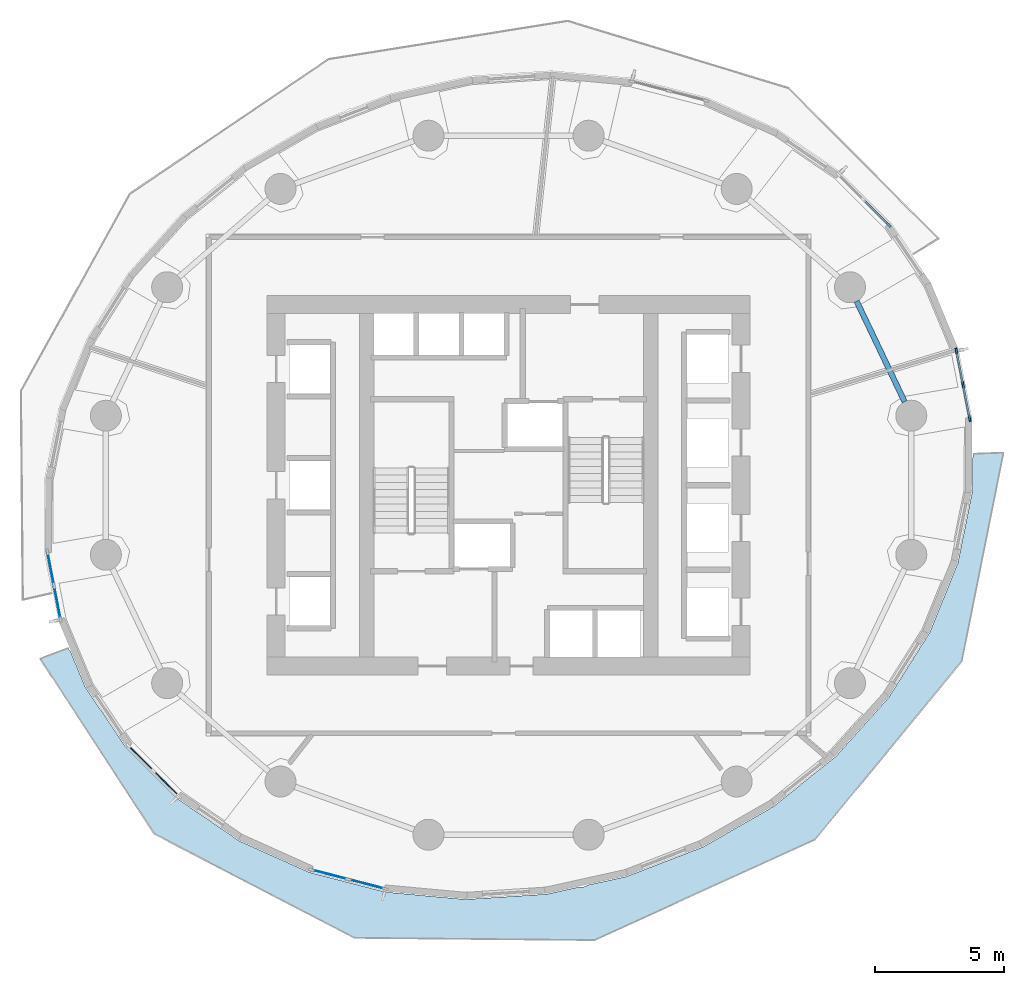
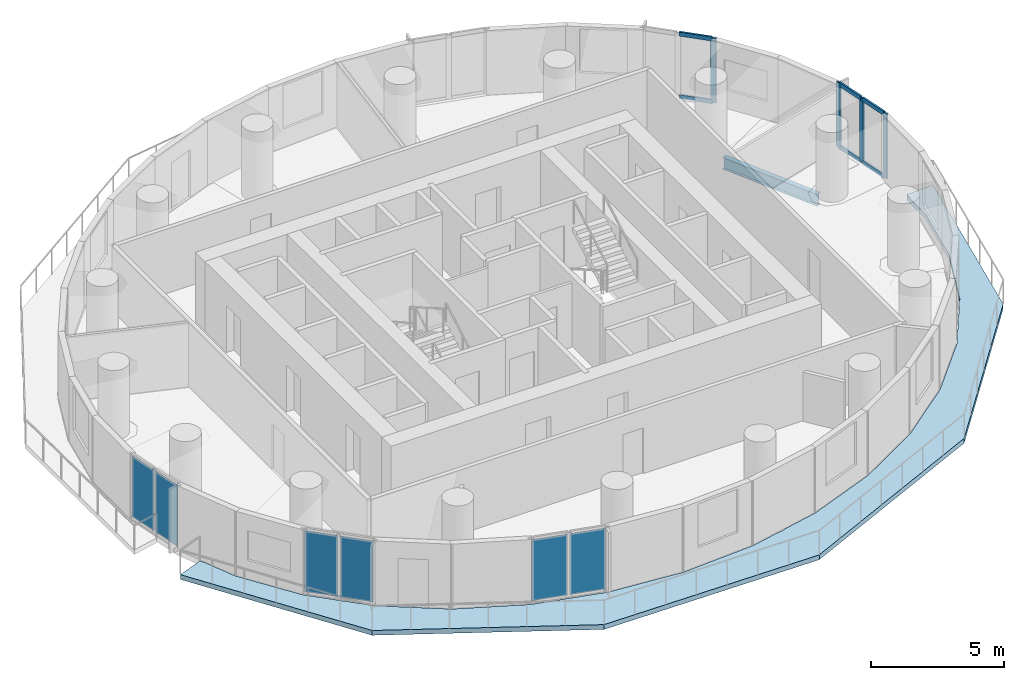
# One storey, part 2 of 10: 10 members, 6 plates, 1 beam, 1 slab, 5 elements without a shape of their own.
"""IFC4 building model written with IfcOpenShell, lengths in metres."""

from ifc_helpers import new_model, si_unit, direction, frame, origin, origin_2d, place, context, subcontext, project, spatial, polyline, rectangle, i_section, outline, extrude, material, layer, layer_set, material_profile, profile_set, type_object, element, aggregate, save


model = new_model("IFC4")

# Units and contexts
model_context = context("Model", 3, precision=1e-05, world=origin(), true_north=direction((0.0, 1.0)))
body_context = subcontext(model_context, "Body", "Model", "MODEL_VIEW")
ifc_project = project(units=[si_unit("LENGTHUNIT", "METRE"), si_unit("AREAUNIT", "SQUARE_METRE"), si_unit("VOLUMEUNIT", "CUBIC_METRE"), si_unit("PLANEANGLEUNIT", "RADIAN"), si_unit("MASSUNIT", "GRAM", prefix="KILO")], contexts=[model_context])

# Site, building, storey
site_placement = place(None, origin())
site = spatial("IfcSite", under=ifc_project, at=site_placement, CompositionType="ELEMENT")
building_placement = place(site_placement, origin())
building = spatial("IfcBuilding", under=site, at=building_placement, Name="Veldorim Arch Residences", CompositionType="ELEMENT")
storey_placement = place(building_placement, frame((0.0, 0.0, 70.8798828125)))
storey = spatial("IfcBuildingStorey", under=building, at=storey_placement, Name="L20", CompositionType="ELEMENT", Elevation=70.8798828125)

# Curtain wall, member
ifc_material_1 = material(Name="Aluminium", Category="aluminium")
curtain_wall_type = type_object("IfcCurtainWallType", Name="Sky Lounge & Conservatory Tall Curtain Wall", PredefinedType="NOTDEFINED", material=ifc_material_1)
curtain_wall_1_placement = place(storey_placement, origin())
curtain_wall_1 = element("IfcCurtainWall", 1, at=curtain_wall_1_placement, inside=storey, type_object=curtain_wall_type, Name="L20 unitised curtain wall bay 03", PredefinedType="NOTDEFINED")
ifc_material_2 = material(Name="Aluminium", Category="aluminium")
ifc_material_profile_1 = material_profile(ifc_material_2, rectangle(XDim=0.080078125, YDim=0.219970703125, at=origin_2d()), Name="ALU_MUL_80x220")
ifc_profile_set_1 = profile_set([ifc_material_profile_1], Name="Aluminium")
member_type_1 = type_object("IfcMemberType", Name="Sky Lounge & Conservatory Tall Curtain Wall Mullion 80x220", PredefinedType="MULLION", material=ifc_profile_set_1)
member_1_placement = place(storey_placement, frame((46.71875, 34.0810546875, 0.0), z_axis=(0.0, 0.0, 1.0), x_axis=(0.706577179529, 0.707635986485, 0.0)))
member_1 = element("IfcMember", 2, at=member_1_placement, type_object=member_type_1, Name="CW-SKY mullion 3", PredefinedType="MULLION", context=body_context, shape_type="SweptSolid", body=[
    extrude(rectangle(XDim=0.080078125, YDim=0.219970703125, at=origin_2d()), origin(), (0.0, 0.0, 1.0), 2.960205078125),
])

# Curtain wall, members
curtain_wall_2_placement = place(storey_placement, origin())
curtain_wall_2 = element("IfcCurtainWall", 3, at=curtain_wall_2_placement, inside=storey, type_object=curtain_wall_type, Name="L20 unitised curtain wall bay 36", PredefinedType="NOTDEFINED")
member_2_placement = place(storey_placement, frame((49.342529296875, 29.203857421875, 0.0), z_axis=(0.0, 0.0, 1.0), x_axis=(0.981476790572, 0.191581078313, 0.0)))
member_2 = element("IfcMember", 4, at=member_2_placement, type_object=member_type_1, Name="CW-SKY mullion 1", PredefinedType="MULLION", context=body_context, shape_type="SweptSolid", body=[
    extrude(rectangle(XDim=0.080078125, YDim=0.219970703125, at=origin_2d()), origin(), (0.0, 0.0, 1.0), 2.960205078125),
])
member_3_placement = place(storey_placement, frame((49.59912109375, 27.889892578125, 0.0), z_axis=(0.0, 0.0, 1.0), x_axis=(0.981476790572, 0.191581078313, 0.0)))
member_3 = element("IfcMember", 5, at=member_3_placement, type_object=member_type_1, Name="CW-SKY mullion 2", PredefinedType="MULLION", context=body_context, shape_type="SweptSolid", body=[
    extrude(rectangle(XDim=0.080078125, YDim=0.219970703125, at=origin_2d()), origin(), (0.0, 0.0, 1.0), 2.960205078125),
])
member_4_placement = place(storey_placement, frame((49.85546875, 26.575927734375, 0.0), z_axis=(0.0, 0.0, 1.0), x_axis=(0.981476790572, 0.191581078313, 0.0)))
member_4 = element("IfcMember", 6, at=member_4_placement, type_object=member_type_1, Name="CW-SKY mullion 3", PredefinedType="MULLION", context=body_context, shape_type="SweptSolid", body=[
    extrude(rectangle(XDim=0.080078125, YDim=0.219970703125, at=origin_2d()), origin(), (0.0, 0.0, 1.0), 2.960205078125),
])

# Member
ifc_material_3 = material(Name="Aluminium", Category="aluminium")
ifc_material_profile_2 = material_profile(ifc_material_3, rectangle(XDim=0.080078125, YDim=0.18505859375, at=origin_2d()), Name="ALU_TRN_80x185")
ifc_profile_set_2 = profile_set([ifc_material_profile_2], Name="Aluminium")
member_type_2 = type_object("IfcMemberType", Name="Sky Lounge & Conservatory Tall Curtain Wall Transom 80x185", PredefinedType="USERDEFINED", material=ifc_profile_set_2)
member_5_placement = place(storey_placement, frame((45.772705078125, 35.025390625, 0.0400390625), z_axis=(0.707671337229, -0.706541774041, 0.0), x_axis=(0.706541774041, 0.707671337229, 0.0)))
member_5 = element("IfcMember", 7, at=member_5_placement, type_object=member_type_2, Name="CW-SKY transom 2.1", ObjectType="TRANSOM", PredefinedType="USERDEFINED", context=body_context, shape_type="SweptSolid", body=[
    extrude(rectangle(XDim=0.080078125, YDim=0.18505859375, at=origin_2d()), origin(), (0.0, 0.0, 1.0), 1.296875),
])

member_6_placement = place(storey_placement, frame((45.772705078125, 35.025390625, 2.920166015625), z_axis=(0.707671337229, -0.706541774041, 0.0), x_axis=(0.706541774041, 0.707671337229, 0.0)))
member_6 = element("IfcMember", 8, at=member_6_placement, type_object=member_type_2, Name="CW-SKY transom 2.2", ObjectType="TRANSOM", PredefinedType="USERDEFINED", context=body_context, shape_type="SweptSolid", body=[
    extrude(rectangle(XDim=0.080078125, YDim=0.18505859375, at=origin_2d()), origin(), (0.0, 0.0, 1.0), 1.296875),
])

aggregate(curtain_wall_1, [member_1, member_5, member_6])

member_7_placement = place(storey_placement, frame((49.350341796875, 29.164794921875, 0.0400390625), z_axis=(0.191414668679, -0.981509258547, 0.0), x_axis=(0.981509258547, 0.191414668679, 0.0)))
member_7 = element("IfcMember", 9, at=member_7_placement, type_object=member_type_2, Name="CW-SKY transom 1.1", ObjectType="TRANSOM", PredefinedType="USERDEFINED", context=body_context, shape_type="SweptSolid", body=[
    extrude(rectangle(XDim=0.080078125, YDim=0.18505859375, at=origin_2d()), origin(), (0.0, 0.0, 1.0), 1.2587890625),
])

member_8_placement = place(storey_placement, frame((49.350341796875, 29.164794921875, 2.920166015625), z_axis=(0.191414668679, -0.981509258547, 0.0), x_axis=(0.981509258547, 0.191414668679, 0.0)))
member_8 = element("IfcMember", 10, at=member_8_placement, type_object=member_type_2, Name="CW-SKY transom 1.2", ObjectType="TRANSOM", PredefinedType="USERDEFINED", context=body_context, shape_type="SweptSolid", body=[
    extrude(rectangle(XDim=0.080078125, YDim=0.18505859375, at=origin_2d()), origin(), (0.0, 0.0, 1.0), 1.2587890625),
])

member_9_placement = place(storey_placement, frame((49.606689453125, 27.8505859375, 0.0400390625), z_axis=(0.191637963791, -0.981465685001, 0.0), x_axis=(0.981465685001, 0.191637963791, 0.0)))
member_9 = element("IfcMember", 11, at=member_9_placement, type_object=member_type_2, Name="CW-SKY transom 2.1", ObjectType="TRANSOM", PredefinedType="USERDEFINED", context=body_context, shape_type="SweptSolid", body=[
    extrude(rectangle(XDim=0.080078125, YDim=0.18505859375, at=origin_2d()), origin(), (0.0, 0.0, 1.0), 1.2587890625),
])

member_10_placement = place(storey_placement, frame((49.606689453125, 27.8505859375, 2.920166015625), z_axis=(0.191637963791, -0.981465685001, 0.0), x_axis=(0.981465685001, 0.191637963791, 0.0)))
member_10 = element("IfcMember", 12, at=member_10_placement, type_object=member_type_2, Name="CW-SKY transom 2.2", ObjectType="TRANSOM", PredefinedType="USERDEFINED", context=body_context, shape_type="SweptSolid", body=[
    extrude(rectangle(XDim=0.080078125, YDim=0.18505859375, at=origin_2d()), origin(), (0.0, 0.0, 1.0), 1.2587890625),
])

aggregate(curtain_wall_2, [member_2, member_3, member_4, member_7, member_8, member_9, member_10])

# Beam
ifc_material_4 = material(Name="Steel S355", Category="steel")
ifc_material_profile_3 = material_profile(ifc_material_4, i_section(OverallWidth=0.2119140625, OverallDepth=0.54443359375, WebThickness=0.0126953125, FlangeThickness=0.021240234375, at=origin_2d()), Name="UB533x210x122")
ifc_profile_set_3 = profile_set([ifc_material_profile_3], Name="Steel S355")
beam_type = type_object("IfcBeamType", Name="Structural Steel Beam UB533x210x122", PredefinedType="BEAM", material=ifc_profile_set_3)
beam_placement = place(storey_placement, frame((47.336181640625, 27.233642578125, -0.511962890625), z_axis=(-0.430720154476, 0.902485539235, 0.0), x_axis=(-0.902485539235, -0.430720154476, 0.0)))
element("IfcBeam", 13, at=beam_placement, inside=storey, type_object=beam_type, Name="L20 perimeter ring tie beam 01", PredefinedType="BEAM", context=body_context, shape_type="SweptSolid", body=[
    extrude(i_section(OverallWidth=0.2119140625, OverallDepth=0.54443359375, WebThickness=0.0126953125, FlangeThickness=0.021240234375, at=origin_2d()), origin(), (0.0, 0.0, 1.0), 4.312255859375),
])

# Slab
ifc_material_5 = material(Name="Concrete C40/50", Category="concrete")
ifc_layer_1 = layer(ifc_material_5, 0.219970703125, Name="Planted Crescent Cantilever Balcony Slab 220")
ifc_layer_set_1 = layer_set([ifc_layer_1], Name="Concrete C40/50")
slab_type = type_object("IfcSlabType", Name="Planted Crescent Cantilever Balcony Slab 220", PredefinedType="FLOOR", material=ifc_layer_set_1)
slab_placement = place(storey_placement, frame((0.0, 0.0, -0.219970703125)))
element("IfcSlab", 14, at=slab_placement, inside=storey, type_object=slab_type, Name="L20 planted crescent balcony slab B", PredefinedType="FLOOR", context=body_context, shape_type="SweptSolid", body=[
    extrude(outline(polyline([(15.04150390625, 17.555419921875), (15.6123046875, 16.18115234375), (17.169921875, 13.86767578125), (19.178466796875, 11.8623046875), (21.576171875, 10.225830078125), (24.29052734375, 9.008056640625), (27.239013671875, 8.245849609375), (30.331787109375, 7.96240234375), (33.475341796875, 8.166015625), (34.743408203125, 8.446044921875), (34.9091796875, 8.447021484375), (35.071533203125, 8.5185546875), (36.573974609375, 8.850341796875), (39.53369140625, 9.9951171875), (42.2646484375, 11.56494140625), (44.683837890625, 13.5126953125), (46.7177734375, 15.779296875), (48.3046875, 18.295654296875), (49.396240234375, 20.985595703125), (49.95947265625, 23.767333984375), (49.96728515625, 25.0537109375), (50.01171875, 25.219970703125), (51.160888671875, 25.260009765625), (49.5458984375, 17.1806640625), (43.863525390625, 10.281494140625), (35.324462890625, 6.388427734375), (26.031494140625, 6.476318359375), (18.281982421875, 10.503173828125), (13.864990234375, 17.28271484375), (14.93994140625, 17.691650390625), (15.04150390625, 17.555419921875)])), origin(), (0.0, 0.0, 1.0), 0.219970703125),
])

# Curtain wall, plates
curtain_wall_3_placement = place(storey_placement, origin())
curtain_wall_3 = element("IfcCurtainWall", 15, at=curtain_wall_3_placement, inside=storey, type_object=curtain_wall_type, Name="L20 unitised curtain wall bay 18", PredefinedType="NOTDEFINED")
ifc_material_6 = material(Name="Laminated Low-E Glass", Category="glass")
ifc_layer_2 = layer(ifc_material_6, 0.031982421875, Name="Sky Lounge & Conservatory Tall Curtain Wall Glazing Panel 32")
ifc_layer_set_2 = layer_set([ifc_layer_2], Name="Laminated Low-E Glass")
plate_type = type_object("IfcPlateType", Name="Sky Lounge & Conservatory Tall Curtain Wall Glazing Panel 32", PredefinedType="CURTAIN_PANEL", material=ifc_layer_set_2)
plate_1_placement = place(storey_placement, frame((14.529296875, 19.453125, 0.080078125), z_axis=(0.0, 0.0, 1.0), x_axis=(-0.191581078313, 0.981476790572, 0.0)))
plate_1 = element("IfcPlate", 16, at=plate_1_placement, type_object=plate_type, Name="CW-SKY panel 1.1", PredefinedType="CURTAIN_PANEL", context=body_context, shape_type="SweptSolid", body=[
    extrude(rectangle(XDim=1.2587890625, YDim=0.031982421875, at=origin_2d()), origin(), (0.0, 0.0, 1.0), 2.800048828125),
])
plate_2_placement = place(storey_placement, frame((14.272705078125, 20.76708984375, 0.080078125), z_axis=(0.0, 0.0, 1.0), x_axis=(-0.191581078313, 0.981476790572, 0.0)))
plate_2 = element("IfcPlate", 17, at=plate_2_placement, type_object=plate_type, Name="CW-SKY panel 2.1", PredefinedType="CURTAIN_PANEL", context=body_context, shape_type="SweptSolid", body=[
    extrude(rectangle(XDim=1.2587890625, YDim=0.031982421875, at=origin_2d()), origin(), (0.0, 0.0, 1.0), 2.800048828125),
])
aggregate(curtain_wall_3, [plate_1, plate_2])

curtain_wall_4_placement = place(storey_placement, origin())
curtain_wall_4 = element("IfcCurtainWall", 18, at=curtain_wall_4_placement, inside=storey, type_object=curtain_wall_type, Name="L20 unitised curtain wall bay 21", PredefinedType="NOTDEFINED")
plate_3_placement = place(storey_placement, frame((18.74267578125, 12.4599609375, 0.080078125), z_axis=(0.0, 0.0, 1.0), x_axis=(-0.707635986485, 0.706577179529, 0.0)))
plate_3 = element("IfcPlate", 19, at=plate_3_placement, type_object=plate_type, Name="CW-SKY panel 1.1", PredefinedType="CURTAIN_PANEL", context=body_context, shape_type="SweptSolid", body=[
    extrude(rectangle(XDim=1.296630859375, YDim=0.031982421875, at=origin_2d()), origin(), (0.0, 0.0, 1.0), 2.800048828125),
])
plate_4_placement = place(storey_placement, frame((17.768310546875, 13.4326171875, 0.080078125), z_axis=(0.0, 0.0, 1.0), x_axis=(-0.707635986485, 0.706577179529, 0.0)))
plate_4 = element("IfcPlate", 20, at=plate_4_placement, type_object=plate_type, Name="CW-SKY panel 2.1", PredefinedType="CURTAIN_PANEL", context=body_context, shape_type="SweptSolid", body=[
    extrude(rectangle(XDim=1.296630859375, YDim=0.031982421875, at=origin_2d()), origin(), (0.0, 0.0, 1.0), 2.800048828125),
])
aggregate(curtain_wall_4, [plate_3, plate_4])

curtain_wall_5_placement = place(storey_placement, origin())
curtain_wall_5 = element("IfcCurtainWall", 21, at=curtain_wall_5_placement, inside=storey, type_object=curtain_wall_type, Name="L20 unitised curtain wall bay 24", PredefinedType="NOTDEFINED")
plate_5_placement = place(storey_placement, frame((26.51025390625, 8.552978515625, 0.080078125), z_axis=(0.0, 0.0, 1.0), x_axis=(-0.968169445733, 0.250295673853, 0.0)))
plate_5 = element("IfcPlate", 22, at=plate_5_placement, type_object=plate_type, Name="CW-SKY panel 1.1", PredefinedType="CURTAIN_PANEL", context=body_context, shape_type="SweptSolid", body=[
    extrude(rectangle(XDim=1.400634765625, YDim=0.031982421875, at=origin_2d()), origin(), (0.0, 0.0, 1.0), 2.800048828125),
])
plate_6_placement = place(storey_placement, frame((25.076904296875, 8.923583984375, 0.080078125), z_axis=(0.0, 0.0, 1.0), x_axis=(-0.968169445733, 0.250295673853, 0.0)))
plate_6 = element("IfcPlate", 23, at=plate_6_placement, type_object=plate_type, Name="CW-SKY panel 2.1", PredefinedType="CURTAIN_PANEL", context=body_context, shape_type="SweptSolid", body=[
    extrude(rectangle(XDim=1.400634765625, YDim=0.031982421875, at=origin_2d()), origin(), (0.0, 0.0, 1.0), 2.800048828125),
])
aggregate(curtain_wall_5, [plate_5, plate_6])

save(model, "model.ifc")
